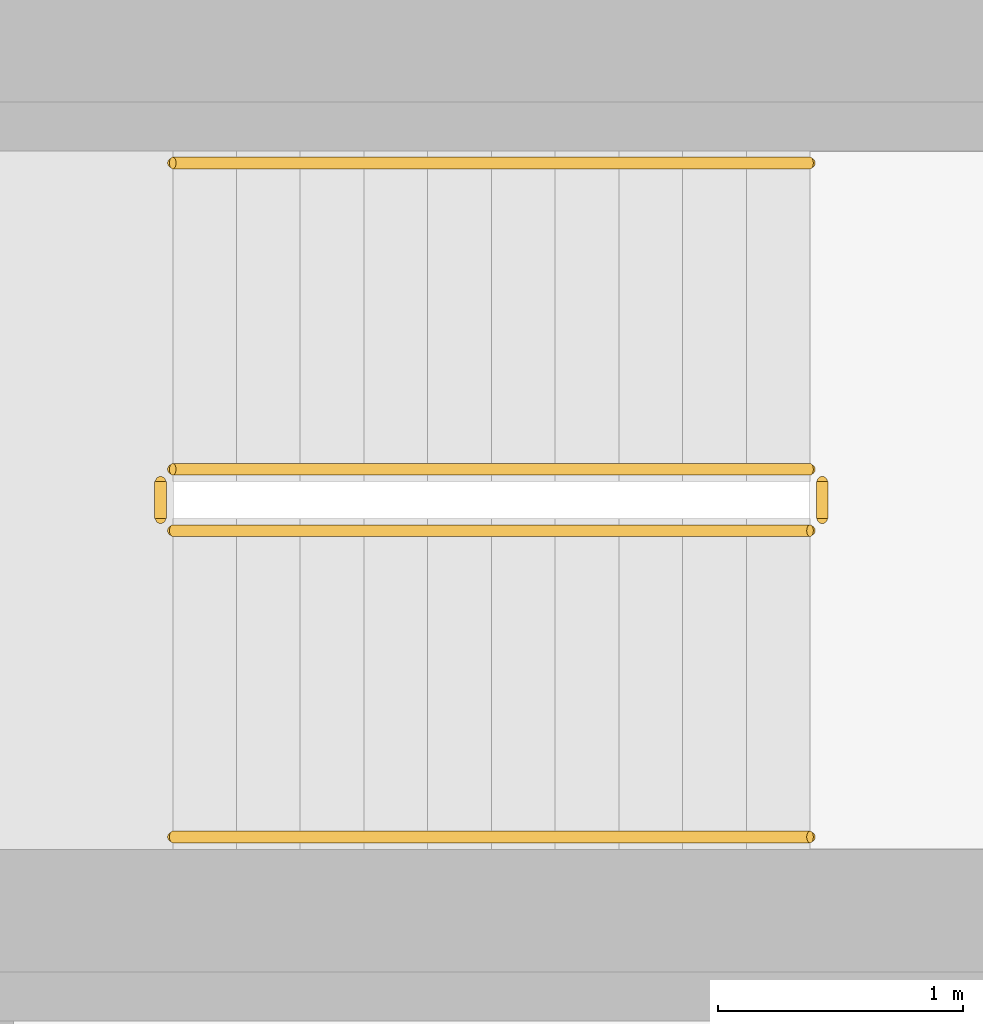
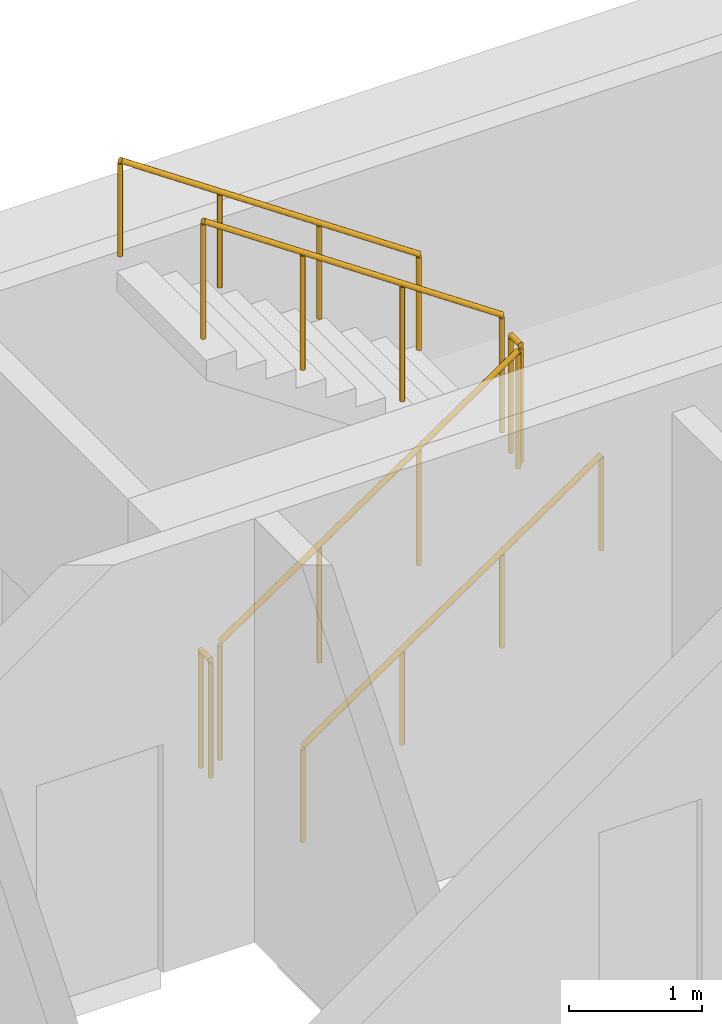
# One storey, part 8 of 8: 6 railings.
"""IFC4 building model written with IfcOpenShell, lengths in metres."""

from ifc_helpers import new_model, si_unit, direction, frame, origin, origin_2d, place, context, subcontext, project, spatial, circle, extrude, material, type_object, element, save


model = new_model("IFC4")

# Units and contexts
model_context = context("Model", 3, precision=1e-05, world=origin(), true_north=direction((0.0, 1.0)))
body_context = subcontext(model_context, "Body", "Model", "MODEL_VIEW")
ifc_project = project(units=[si_unit("LENGTHUNIT", "METRE"), si_unit("AREAUNIT", "SQUARE_METRE"), si_unit("VOLUMEUNIT", "CUBIC_METRE"), si_unit("PLANEANGLEUNIT", "RADIAN"), si_unit("MASSUNIT", "GRAM", prefix="KILO")], contexts=[model_context])

# Site, building, storey
site_placement = place(None, origin())
site = spatial("IfcSite", under=ifc_project, at=site_placement, CompositionType="ELEMENT")
building_placement = place(site_placement, origin())
building = spatial("IfcBuilding", under=site, at=building_placement, Name="White Candle Pilgrim Tower", CompositionType="ELEMENT")
storey_placement = place(building_placement, frame((0.0, 0.0, 287.300048828125)))
storey = spatial("IfcBuildingStorey", under=building, at=storey_placement, Name="L68", CompositionType="ELEMENT", Elevation=287.300048828125)

# Railings
ifc_material = material(Name="Stainless steel", Category="steel")
railing_type_1 = type_object("IfcRailingType", Name="Stair guard stainless steel 1100 mm", PredefinedType="GUARDRAIL", material=ifc_material)
railing_1_placement = place(storey_placement, frame((69.39990234375, 85.550048828125, 0.17724609375)))
element("IfcRailing", 1, at=railing_1_placement, inside=storey, type_object=railing_type_1, Name="L68 ST3 stair guard 1", PredefinedType="GUARDRAIL", context=body_context, shape_type="SweptSolid", body=[
    extrude(circle(Radius=0.02392578125, at=origin_2d()), frame((0.0, 0.0, 1.076171875), z_axis=(0.826240473404, 0.0, 0.563317565952), x_axis=(0.0, 1.0, 0.0)), (0.0, 0.0, 1.0), 3.14697265625),
    extrude(circle(Radius=0.02099609375, at=origin_2d()), origin(), (0.0, 0.0, 1.0), 1.052001953125),
    extrude(circle(Radius=0.02099609375, at=origin_2d()), frame((0.86669921875, 0.0, 0.5908203125)), (0.0, 0.0, 1.0), 1.052001953125),
    extrude(circle(Radius=0.02099609375, at=origin_2d()), frame((1.7333984375, 0.0, 1.181884765625)), (0.0, 0.0, 1.0), 1.052001953125),
    extrude(circle(Radius=0.02099609375, at=origin_2d()), frame((2.60009765625, 0.0, 1.772705078125)), (0.0, 0.0, 1.0), 1.052001953125),
])
railing_2_placement = place(storey_placement, frame((72.050048828125, 85.60009765625, 1.949951171875)))
element("IfcRailing", 2, at=railing_2_placement, inside=storey, type_object=railing_type_1, Name="L68 ST3 stair guard 2", PredefinedType="GUARDRAIL", context=body_context, shape_type="SweptSolid", body=[
    extrude(circle(Radius=0.02392578125, at=origin_2d()), frame((0.0, 0.0, 1.076171875), z_axis=(0.0, 1.0, 0.0), x_axis=(-1.0, 0.0, 0.0)), (0.0, 0.0, 1.0), 0.14990234375),
    extrude(circle(Radius=0.02099609375, at=origin_2d()), origin(), (0.0, 0.0, 1.0), 1.052001953125),
    extrude(circle(Radius=0.02099609375, at=origin_2d()), frame((0.0, 0.14990234375, 0.0)), (0.0, 0.0, 1.0), 1.052001953125),
])
railing_3_placement = place(storey_placement, frame((72.0, 85.800048828125, 2.127197265625)))
element("IfcRailing", 3, at=railing_3_placement, inside=storey, type_object=railing_type_1, Name="L68 ST3 stair guard 3", PredefinedType="GUARDRAIL", context=body_context, shape_type="SweptSolid", body=[
    extrude(circle(Radius=0.02392578125, at=origin_2d()), frame((0.0, 0.0, 1.076171875), z_axis=(-0.826240473404, 0.0, 0.563317565952), x_axis=(0.0, -1.0, 0.0)), (0.0, 0.0, 1.0), 3.14697265625),
    extrude(circle(Radius=0.02099609375, at=origin_2d()), origin(), (0.0, 0.0, 1.0), 1.052001953125),
    extrude(circle(Radius=0.02099609375, at=origin_2d()), frame((-0.86669921875, 0.0, 0.5908203125)), (0.0, 0.0, 1.0), 1.052001953125),
    extrude(circle(Radius=0.02099609375, at=origin_2d()), frame((-1.7333984375, 0.0, 1.181884765625)), (0.0, 0.0, 1.0), 1.052001953125),
    extrude(circle(Radius=0.02099609375, at=origin_2d()), frame((-2.60009765625, 0.0, 1.772705078125)), (0.0, 0.0, 1.0), 1.052001953125),
])
railing_4_placement = place(storey_placement, frame((69.35009765625, 85.60009765625, 0.0)))
element("IfcRailing", 4, at=railing_4_placement, inside=storey, type_object=railing_type_1, Name="L68 ST3 stair guard 4", PredefinedType="GUARDRAIL", context=body_context, shape_type="SweptSolid", body=[
    extrude(circle(Radius=0.02392578125, at=origin_2d()), frame((0.0, 0.0, 1.076171875), z_axis=(0.0, 1.0, 0.0), x_axis=(-1.0, 0.0, 0.0)), (0.0, 0.0, 1.0), 0.14990234375),
    extrude(circle(Radius=0.02099609375, at=origin_2d()), origin(), (0.0, 0.0, 1.0), 1.052001953125),
    extrude(circle(Radius=0.02099609375, at=origin_2d()), frame((0.0, 0.14990234375, 0.0)), (0.0, 0.0, 1.0), 1.052001953125),
])
railing_type_2 = type_object("IfcRailingType", Name="Stair handrail stainless steel", PredefinedType="HANDRAIL", material=ifc_material)
railing_5_placement = place(storey_placement, frame((69.39990234375, 84.300048828125, 0.17724609375)))
element("IfcRailing", 5, at=railing_5_placement, inside=storey, type_object=railing_type_2, Name="L68 ST3 stair handrail 1", PredefinedType="HANDRAIL", context=body_context, shape_type="SweptSolid", body=[
    extrude(circle(Radius=0.02392578125, at=origin_2d()), frame((0.0, 0.0, 0.8759765625), z_axis=(0.826240473404, 0.0, 0.563317565952), x_axis=(0.0, 1.0, 0.0)), (0.0, 0.0, 1.0), 3.14697265625),
    extrude(circle(Radius=0.02099609375, at=origin_2d()), origin(), (0.0, 0.0, 1.0), 0.851806640625),
    extrude(circle(Radius=0.02099609375, at=origin_2d()), frame((0.86669921875, 0.0, 0.5908203125)), (0.0, 0.0, 1.0), 0.851806640625),
    extrude(circle(Radius=0.02099609375, at=origin_2d()), frame((1.7333984375, 0.0, 1.181884765625)), (0.0, 0.0, 1.0), 0.851806640625),
    extrude(circle(Radius=0.02099609375, at=origin_2d()), frame((2.60009765625, 0.0, 1.772705078125)), (0.0, 0.0, 1.0), 0.851806640625),
])
railing_6_placement = place(storey_placement, frame((72.0, 87.050048828125, 2.127197265625)))
element("IfcRailing", 6, at=railing_6_placement, inside=storey, type_object=railing_type_2, Name="L68 ST3 stair handrail 2", PredefinedType="HANDRAIL", context=body_context, shape_type="SweptSolid", body=[
    extrude(circle(Radius=0.02392578125, at=origin_2d()), frame((0.0, 0.0, 0.8759765625), z_axis=(-0.826240473404, 0.0, 0.563317565952), x_axis=(0.0, -1.0, 0.0)), (0.0, 0.0, 1.0), 3.14697265625),
    extrude(circle(Radius=0.02099609375, at=origin_2d()), origin(), (0.0, 0.0, 1.0), 0.851806640625),
    extrude(circle(Radius=0.02099609375, at=origin_2d()), frame((-0.86669921875, 0.0, 0.5908203125)), (0.0, 0.0, 1.0), 0.851806640625),
    extrude(circle(Radius=0.02099609375, at=origin_2d()), frame((-1.7333984375, 0.0, 1.181884765625)), (0.0, 0.0, 1.0), 0.851806640625),
    extrude(circle(Radius=0.02099609375, at=origin_2d()), frame((-2.60009765625, 0.0, 1.772705078125)), (0.0, 0.0, 1.0), 0.851806640625),
])

save(model, "model.ifc")
